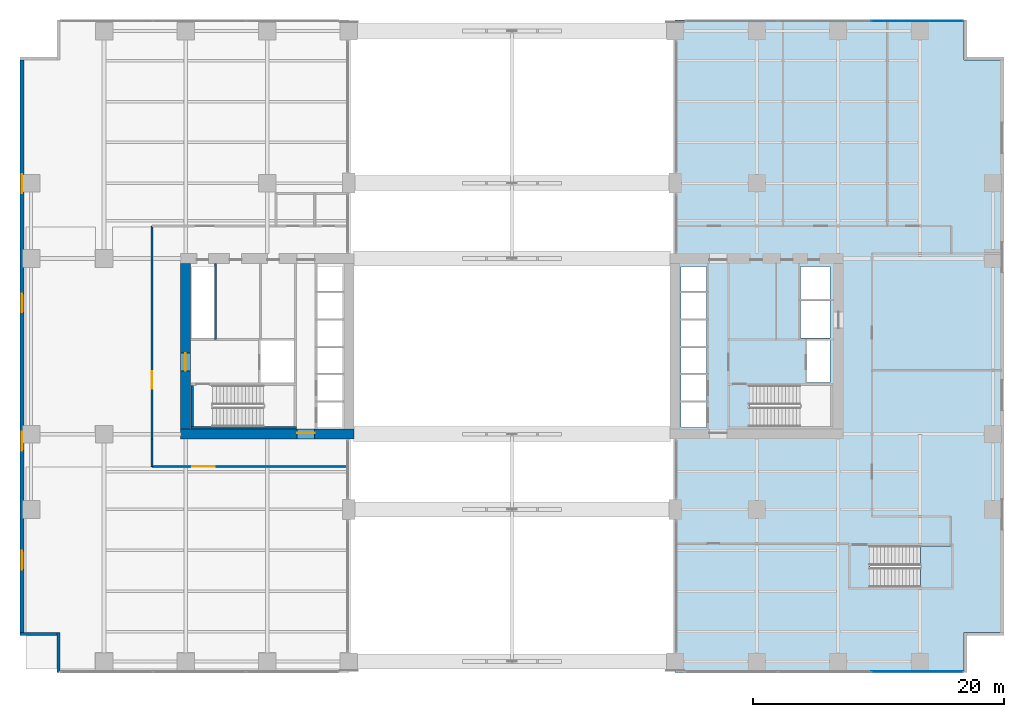
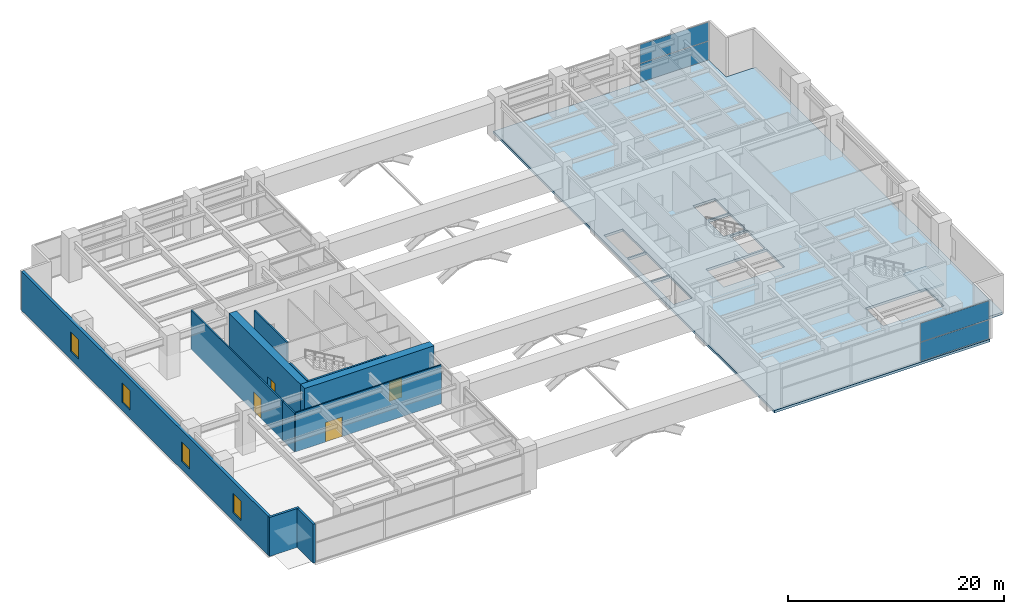
# One storey, part 15 of 23: 11 walls, 4 doors, 4 plates, 4 windows, 2 slabs, 8 openings, 3 elements without a shape of their own.
"""IFC4 building model written with IfcOpenShell, lengths in metres."""

from ifc_helpers import new_model, si_unit, direction, frame, frame_2d, origin, origin_2d, place, context, subcontext, project, spatial, polyline, rectangle, outline, extrude, material, layer, layer_set, type_object, element, fill, aggregate, save


model = new_model("IFC4")

# Units and contexts
model_context = context("Model", 3, precision=1e-05, world=origin(), true_north=direction((0.0, 1.0)))
body_context = subcontext(model_context, "Body", "Model", "MODEL_VIEW")
ifc_project = project(units=[si_unit("LENGTHUNIT", "METRE"), si_unit("AREAUNIT", "SQUARE_METRE"), si_unit("VOLUMEUNIT", "CUBIC_METRE"), si_unit("PLANEANGLEUNIT", "RADIAN"), si_unit("MASSUNIT", "GRAM", prefix="KILO")], contexts=[model_context])

# Site, building, storey
site_placement = place(None, origin())
site = spatial("IfcSite", under=ifc_project, at=site_placement, CompositionType="ELEMENT")
building_placement = place(site_placement, origin())
building = spatial("IfcBuilding", under=site, at=building_placement, Name="Putna Gate Headquarters", CompositionType="ELEMENT")
storey_placement = place(building_placement, frame((0.0, 0.0, 17.0)))
storey = spatial("IfcBuildingStorey", under=building, at=storey_placement, Name="L03", CompositionType="ELEMENT", Elevation=17.0)

# Stair, slab
ifc_material_1 = material(Name="Concrete C40/50", Category="concrete")
stair_type = type_object("IfcStairType", Name="STAIR-ST3", PredefinedType="HALF_TURN_STAIR", material=ifc_material_1)
stair_placement = place(storey_placement, origin())
stair = element("IfcStair", 1, at=stair_placement, inside=storey, type_object=stair_type, Name="L03 Podium Escape Stair ST3", PredefinedType="HALF_TURN_STAIR")
ifc_layer_1 = layer(ifc_material_1, 0.199951171875)
ifc_layer_set_1 = layer_set([ifc_layer_1], Name="Concrete C40/50")
slab_type_1 = type_object("IfcSlabType", Name="LANDING-ST3", PredefinedType="LANDING", material=ifc_layer_set_1)
slab_1_placement = place(storey_placement, frame((0.0, 0.0, 2.300048828125)))
slab_1 = element("IfcSlab", 2, at=slab_1_placement, type_object=slab_type_1, Name="ST3 landing 1", PredefinedType="LANDING", context=body_context, shape_type="SweptSolid", body=[
    extrude(outline(polyline([(71.56005859375, 6.800048828125), (74.0, 6.800048828125), (74.0, 10.10009765625), (71.56005859375, 10.10009765625), (71.56005859375, 6.800048828125)])), origin(), (0.0, 0.0, 1.0), 0.199951171875),
])
aggregate(stair, [slab_1])

# Curtain wall, plates
ifc_material_2 = material(Name="Anodised bronze aluminium curtain wall", Category="aluminium")
ifc_layer_2 = layer(ifc_material_2, 0.179931640625)
ifc_layer_set_2 = layer_set([ifc_layer_2], Name="Anodised bronze aluminium curtain wall")
curtain_wall_type = type_object("IfcCurtainWallType", Name="CW-SYS-POD", PredefinedType="USERDEFINED", material=ifc_layer_set_2)
curtain_wall_1_placement = place(storey_placement, origin())
curtain_wall_1 = element("IfcCurtainWall", 3, at=curtain_wall_1_placement, inside=storey, type_object=curtain_wall_type, Name="L03 South East Curtain Wall", ObjectType="STICK CURTAIN WALL", PredefinedType="USERDEFINED")
ifc_material_3 = material(Name="Solar-control triple low-E glass", Category="glass")
ifc_layer_3 = layer(ifc_material_3, 0.035888671875)
ifc_layer_set_3 = layer_set([ifc_layer_3], Name="Solar-control triple low-E glass")
plate_type = type_object("IfcPlateType", Name="PAN-CWP-P", PredefinedType="CURTAIN_PANEL", material=ifc_layer_set_3)
plate_1_placement = place(storey_placement, frame((71.279052734375, 0.080078125, 0.06982421875), z_axis=(0.0, 0.0, 1.0), x_axis=(1.0, 0.0, 0.0)))
plate_1 = element("IfcPlate", 4, at=plate_1_placement, type_object=plate_type, Name="CWS-P panel 3.1", PredefinedType="CURTAIN_PANEL", context=body_context, shape_type="SweptSolid", body=[
    extrude(rectangle(XDim=7.3017578125, YDim=0.035888671875, at=origin_2d()), origin(), (0.0, 0.0, 1.0), 2.094970703125),
])
plate_2_placement = place(storey_placement, frame((71.279052734375, 0.080078125, 2.23486328125), z_axis=(0.0, 0.0, 1.0), x_axis=(1.0, 0.0, 0.0)))
plate_2 = element("IfcPlate", 5, at=plate_2_placement, type_object=plate_type, Name="CWS-P panel 3.2", PredefinedType="CURTAIN_PANEL", context=body_context, shape_type="SweptSolid", body=[
    extrude(rectangle(XDim=7.3017578125, YDim=0.035888671875, at=origin_2d()), origin(), (0.0, 0.0, 1.0), 2.094970703125),
])
aggregate(curtain_wall_1, [plate_1, plate_2])

curtain_wall_2_placement = place(storey_placement, origin())
curtain_wall_2 = element("IfcCurtainWall", 6, at=curtain_wall_2_placement, inside=storey, type_object=curtain_wall_type, Name="L03 North East Curtain Wall", ObjectType="STICK CURTAIN WALL", PredefinedType="USERDEFINED")
plate_3_placement = place(storey_placement, frame((71.279052734375, 51.919921875, 0.06982421875), z_axis=(0.0, 0.0, 1.0), x_axis=(1.0, 0.0, 0.0)))
plate_3 = element("IfcPlate", 7, at=plate_3_placement, type_object=plate_type, Name="CWS-P panel 3.1", PredefinedType="CURTAIN_PANEL", context=body_context, shape_type="SweptSolid", body=[
    extrude(rectangle(XDim=7.3017578125, YDim=0.035888671875, at=origin_2d()), origin(), (0.0, 0.0, 1.0), 2.094970703125),
])
plate_4_placement = place(storey_placement, frame((71.279052734375, 51.919921875, 2.23486328125), z_axis=(0.0, 0.0, 1.0), x_axis=(1.0, 0.0, 0.0)))
plate_4 = element("IfcPlate", 8, at=plate_4_placement, type_object=plate_type, Name="CWS-P panel 3.2", PredefinedType="CURTAIN_PANEL", context=body_context, shape_type="SweptSolid", body=[
    extrude(rectangle(XDim=7.3017578125, YDim=0.035888671875, at=origin_2d()), origin(), (0.0, 0.0, 1.0), 2.094970703125),
])
aggregate(curtain_wall_2, [plate_3, plate_4])

# Slab
ifc_layer_4 = layer(ifc_material_1, 0.280029296875)
ifc_layer_set_4 = layer_set([ifc_layer_4], Name="Concrete C40/50")
slab_type_2 = type_object("IfcSlabType", Name="SLAB-POD-280", PredefinedType="FLOOR", material=ifc_layer_set_4)
slab_2_placement = place(storey_placement, frame((0.0, 0.0, -0.280029296875)))
element("IfcSlab", 9, at=slab_2_placement, inside=storey, type_object=slab_type_2, Name="L03 East Podium Wing Floor Slab", PredefinedType="FLOOR", context=body_context, shape_type="SweptSolid", body=[
    extrude(outline(polyline([(52.0, 0.0), (75.0, 0.0), (75.0, 3.199951171875), (78.199951171875, 3.199951171875), (78.199951171875, 48.800048828125), (75.0, 48.800048828125), (75.0, 52.0), (52.0, 52.0), (52.0, 0.0)]), holes=[polyline([(57.9150390625, 19.60009765625), (64.39990234375, 19.60009765625), (64.39990234375, 22.89990234375), (57.9150390625, 22.89990234375), (57.9150390625, 19.60009765625)]), polyline([(67.514892578125, 6.800048828125), (74.0, 6.800048828125), (74.0, 10.10009765625), (67.514892578125, 10.10009765625), (67.514892578125, 6.800048828125)]), polyline([(61.969970703125, 29.780029296875), (64.35009765625, 29.780029296875), (64.35009765625, 32.35009765625), (61.969970703125, 32.35009765625), (61.969970703125, 29.780029296875)]), polyline([(62.52001953125, 23.1201171875), (64.35009765625, 23.1201171875), (64.35009765625, 26.4599609375), (62.52001953125, 26.4599609375), (62.52001953125, 23.1201171875)]), polyline([(61.969970703125, 26.659912109375), (64.35009765625, 26.659912109375), (64.35009765625, 29.6201171875), (61.969970703125, 29.6201171875), (61.969970703125, 26.659912109375)]), polyline([(52.47998046875, 19.52001953125), (54.5, 19.52001953125), (54.5, 23.699951171875), (52.47998046875, 23.699951171875), (52.47998046875, 19.52001953125)]), polyline([(52.47998046875, 23.860107421875), (54.5, 23.860107421875), (54.5, 28.0400390625), (52.47998046875, 28.0400390625), (52.47998046875, 23.860107421875)]), polyline([(52.47998046875, 28.199951171875), (54.5, 28.199951171875), (54.5, 32.35009765625), (52.47998046875, 32.35009765625), (52.47998046875, 28.199951171875)])]), origin(), (0.0, 0.0, 1.0), 0.280029296875),
])

# Wall, opening, door
ifc_material_4 = material(Name="Concrete C60/75", Category="concrete")
ifc_layer_5 = layer(ifc_material_4, 0.800048828125)
ifc_layer_set_5 = layer_set([ifc_layer_5], Name="Concrete C60/75")
wall_type_1 = type_object("IfcWallType", Name="WALL-CORE-800", PredefinedType="SHEAR", material=ifc_layer_set_5)
wall_1_placement = place(storey_placement, frame((12.60009765625, 19.0, 0.0), z_axis=(0.0, 0.0, 1.0), x_axis=(1.0, 0.0, 0.0)))
wall_1 = element("IfcWall", 10, at=wall_1_placement, inside=storey, type_object=wall_type_1, Name="L03 WC Split Core Shear Wall S", PredefinedType="SHEAR", context=body_context, shape_type="SweptSolid", body=[
    extrude(rectangle(XDim=13.7998046875, YDim=0.800048828125, at=frame_2d((6.89990234375, 0.0))), origin(), (0.0, 0.0, 1.0), 5.0),
])
opening_1_placement = place(wall_1_placement, frame((9.280029296875, 0.0, 0.0)))
opening_1 = element("IfcOpeningElement", 11, at=opening_1_placement, cuts=wall_1, Name="Opening FDD-140", PredefinedType="OPENING", context=body_context, shape_type="SweptSolid", body=[
    extrude(rectangle(XDim=1.39990234375, YDim=2.199951171875, at=frame_2d((0.699951171875, 1.10009765625))), frame((0.0, 0.409912109375, 0.0), z_axis=(0.0, -1.0, 0.0), x_axis=(1.0, 0.0, 0.0)), (0.0, 0.0, 1.0), 0.820068359375),
])
ifc_material_5 = material(Name="Double steel fire door", Category="steel")
door_type_1 = type_object("IfcDoorType", Name="DOOR-FIRE-DBL-1400", OperationType="DOUBLE_DOOR_SINGLE_SWING", PredefinedType="DOOR", material=ifc_material_5)
door_1_placement = place(opening_1_placement, origin())
door_1 = element("IfcDoor", 12, at=door_1_placement, inside=storey, type_object=door_type_1, Name="L03 West Lift Lobby South Door", OperationType="DOUBLE_DOOR_SINGLE_SWING", OverallHeight=2.199951171875, OverallWidth=1.39990234375, PredefinedType="DOOR", context=body_context, shape_type="SweptSolid", body=[
    extrude(rectangle(XDim=1.39990234375, YDim=2.199951171875, at=frame_2d((0.699951171875, 1.10009765625))), frame((0.0, 0.125, 0.0), z_axis=(0.0, -1.0, 0.0), x_axis=(1.0, 0.0, 0.0)), (0.0, 0.0, 1.0), 0.050048828125),
])
fill(opening_1, door_1)

wall_2_placement = place(storey_placement, frame((13.0, 19.39990234375, 0.0), z_axis=(0.0, 0.0, 1.0), x_axis=(0.0, 1.0, 0.0)))
wall_2 = element("IfcWall", 13, at=wall_2_placement, inside=storey, type_object=wall_type_1, Name="L03 WC Split Core Shear Wall W", PredefinedType="SHEAR", context=body_context, shape_type="SweptSolid", body=[
    extrude(rectangle(XDim=13.2001953125, YDim=0.800048828125, at=frame_2d((6.60009765625, 0.0))), origin(), (0.0, 0.0, 1.0), 5.0),
])
opening_2_placement = place(wall_2_placement, frame((4.64990234375, 0.0, 0.0)))
opening_2 = element("IfcOpeningElement", 14, at=opening_2_placement, cuts=wall_2, Name="Opening FDD-140", PredefinedType="OPENING", context=body_context, shape_type="SweptSolid", body=[
    extrude(rectangle(XDim=1.39990234375, YDim=2.199951171875, at=frame_2d((0.699951171875, 1.10009765625))), frame((0.0, 0.409912109375, 0.0), z_axis=(0.0, -1.0, 0.0), x_axis=(1.0, 0.0, 0.0)), (0.0, 0.0, 1.0), 0.820068359375),
])
door_2_placement = place(opening_2_placement, origin())
door_2 = element("IfcDoor", 15, at=door_2_placement, inside=storey, type_object=door_type_1, Name="L03 West Firefighting Lobby Door", OperationType="DOUBLE_DOOR_SINGLE_SWING", OverallHeight=2.199951171875, OverallWidth=1.39990234375, PredefinedType="DOOR", context=body_context, shape_type="SweptSolid", body=[
    extrude(rectangle(XDim=1.39990234375, YDim=2.199951171875, at=frame_2d((0.699951171875, 1.10009765625))), frame((0.0, 0.02490234375, 0.0), z_axis=(0.0, -1.0, 0.0), x_axis=(1.0, 0.0, 0.0)), (0.0, 0.0, 1.0), 0.050048828125),
])
fill(opening_2, door_2)

# Wall, openings, windows
ifc_material_6 = material(Name="Precast concrete C40/50", Category="concrete")
ifc_layer_6 = layer(ifc_material_6, 0.300048828125)
ifc_layer_set_6 = layer_set([ifc_layer_6], Name="Precast concrete C40/50")
wall_type_2 = type_object("IfcWallType", Name="WALL-EXT-POD-300", PredefinedType="STANDARD", material=ifc_layer_set_6)
wall_3_placement = place(storey_placement, frame((-0.050048828125, 3.199951171875, 0.0), z_axis=(0.0, 0.0, 1.0), x_axis=(0.0, 1.0, 0.0)))
wall_3 = element("IfcWall", 16, at=wall_3_placement, inside=storey, type_object=wall_type_2, Name="L03 W Podium Precast Facade Wall", PredefinedType="STANDARD", context=body_context, shape_type="SweptSolid", body=[
    extrude(rectangle(XDim=45.60009765625, YDim=0.300048828125, at=frame_2d((22.800048828125, 0.0))), origin(), (0.0, 0.0, 1.0), 4.39990234375),
])
opening_3_placement = place(wall_3_placement, frame((5.0, 0.0, 0.89990234375)))
opening_3 = element("IfcOpeningElement", 17, at=opening_3_placement, cuts=wall_3, Name="Opening WN-2", PredefinedType="OPENING", context=body_context, shape_type="SweptSolid", body=[
    extrude(rectangle(XDim=1.5, YDim=2.199951171875, at=frame_2d((0.75, 1.10009765625))), frame((0.0, 0.159912109375, 0.0), z_axis=(0.0, -1.0, 0.0), x_axis=(1.0, 0.0, 0.0)), (0.0, 0.0, 1.0), 0.320068359375),
])
opening_4_placement = place(wall_3_placement, frame((14.5, 0.0, 0.89990234375)))
opening_4 = element("IfcOpeningElement", 18, at=opening_4_placement, cuts=wall_3, Name="Opening WN-2", PredefinedType="OPENING", context=body_context, shape_type="SweptSolid", body=[
    extrude(rectangle(XDim=1.5, YDim=2.199951171875, at=frame_2d((0.75, 1.10009765625))), frame((0.0, 0.159912109375, 0.0), z_axis=(0.0, -1.0, 0.0), x_axis=(1.0, 0.0, 0.0)), (0.0, 0.0, 1.0), 0.320068359375),
])
opening_5_placement = place(wall_3_placement, frame((25.5, 0.0, 0.89990234375)))
opening_5 = element("IfcOpeningElement", 19, at=opening_5_placement, cuts=wall_3, Name="Opening WN-2", PredefinedType="OPENING", context=body_context, shape_type="SweptSolid", body=[
    extrude(rectangle(XDim=1.5, YDim=2.199951171875, at=frame_2d((0.75, 1.10009765625))), frame((0.0, 0.159912109375, 0.0), z_axis=(0.0, -1.0, 0.0), x_axis=(1.0, 0.0, 0.0)), (0.0, 0.0, 1.0), 0.320068359375),
])
opening_6_placement = place(wall_3_placement, frame((35.0, 0.0, 0.89990234375)))
opening_6 = element("IfcOpeningElement", 20, at=opening_6_placement, cuts=wall_3, Name="Opening WN-2", PredefinedType="OPENING", context=body_context, shape_type="SweptSolid", body=[
    extrude(rectangle(XDim=1.5, YDim=2.199951171875, at=frame_2d((0.75, 1.10009765625))), frame((0.0, 0.159912109375, 0.0), z_axis=(0.0, -1.0, 0.0), x_axis=(1.0, 0.0, 0.0)), (0.0, 0.0, 1.0), 0.320068359375),
])
ifc_material_7 = material(Name="Triple low-E insulated glazing in bronze aluminium frame", Category="aluminium")
window_type = type_object("IfcWindowType", Name="WIN-EXT-1500x2200", PartitioningType="SINGLE_PANEL", PredefinedType="WINDOW", material=ifc_material_7)
window_1_placement = place(opening_3_placement, origin())
window_1 = element("IfcWindow", 21, at=window_1_placement, inside=storey, type_object=window_type, Name="L03 W Vision Window 1", OverallHeight=2.199951171875, OverallWidth=1.5, PartitioningType="SINGLE_PANEL", PredefinedType="WINDOW", context=body_context, shape_type="SweptSolid", body=[
    extrude(rectangle(XDim=1.5, YDim=2.199951171875, at=frame_2d((0.75, 1.10009765625))), frame((0.0, 0.030029296875, 0.0), z_axis=(0.0, -1.0, 0.0), x_axis=(1.0, 0.0, 0.0)), (0.0, 0.0, 1.0), 0.06005859375),
])
fill(opening_3, window_1)
window_2_placement = place(opening_4_placement, origin())
window_2 = element("IfcWindow", 22, at=window_2_placement, inside=storey, type_object=window_type, Name="L03 W Vision Window 2", OverallHeight=2.199951171875, OverallWidth=1.5, PartitioningType="SINGLE_PANEL", PredefinedType="WINDOW", context=body_context, shape_type="SweptSolid", body=[
    extrude(rectangle(XDim=1.5, YDim=2.199951171875, at=frame_2d((0.75, 1.10009765625))), frame((0.0, 0.030029296875, 0.0), z_axis=(0.0, -1.0, 0.0), x_axis=(1.0, 0.0, 0.0)), (0.0, 0.0, 1.0), 0.06005859375),
])
fill(opening_4, window_2)
window_3_placement = place(opening_5_placement, origin())
window_3 = element("IfcWindow", 23, at=window_3_placement, inside=storey, type_object=window_type, Name="L03 W Vision Window 3", OverallHeight=2.199951171875, OverallWidth=1.5, PartitioningType="SINGLE_PANEL", PredefinedType="WINDOW", context=body_context, shape_type="SweptSolid", body=[
    extrude(rectangle(XDim=1.5, YDim=2.199951171875, at=frame_2d((0.75, 1.10009765625))), frame((0.0, 0.030029296875, 0.0), z_axis=(0.0, -1.0, 0.0), x_axis=(1.0, 0.0, 0.0)), (0.0, 0.0, 1.0), 0.06005859375),
])
fill(opening_5, window_3)
window_4_placement = place(opening_6_placement, origin())
window_4 = element("IfcWindow", 24, at=window_4_placement, inside=storey, type_object=window_type, Name="L03 W Vision Window 4", OverallHeight=2.199951171875, OverallWidth=1.5, PartitioningType="SINGLE_PANEL", PredefinedType="WINDOW", context=body_context, shape_type="SweptSolid", body=[
    extrude(rectangle(XDim=1.5, YDim=2.199951171875, at=frame_2d((0.75, 1.10009765625))), frame((0.0, 0.030029296875, 0.0), z_axis=(0.0, -1.0, 0.0), x_axis=(1.0, 0.0, 0.0)), (0.0, 0.0, 1.0), 0.06005859375),
])
fill(opening_6, window_4)

# Walls
ifc_layer_7 = layer(ifc_material_6, 0.239990234375)
ifc_layer_set_7 = layer_set([ifc_layer_7], Name="Precast concrete C40/50")
wall_type_3 = type_object("IfcWallType", Name="WALL-EXT-TERR-240", PredefinedType="STANDARD", material=ifc_layer_set_7)
for number, where, z_axis, x_axis, name in (
    (25, (2.8798828125, 0.0, 0.0), (0.0, 0.0, 1.0), (0.0, 1.0, 0.0), "L03 Corner Notch Return Wall SW-V"),
    (26, (3.0, 3.080078125, 0.0), (0.0, 0.0, 1.0), (-1.0, 0.0, 0.0), "L03 Corner Notch Return Wall SW-H"),
):
    element("IfcWall", number, at=place(storey_placement, frame(where, z_axis=z_axis, x_axis=x_axis)), inside=storey, type_object=wall_type_3, Name=name, PredefinedType="STANDARD", context=body_context, shape_type="SweptSolid", body=[
        extrude(rectangle(XDim=3.199951171875, YDim=0.239990234375, at=frame_2d((1.60009765625, 0.0))), origin(), (0.0, 0.0, 1.0), 4.39990234375),
    ])
ifc_material_8 = material(Name="Fire-rated gypsum board on metal stud")
ifc_layer_8 = layer(ifc_material_8, 0.139892578125)
ifc_layer_set_8 = layer_set([ifc_layer_8], Name="Fire-rated gypsum board on metal stud")
wall_type_4 = type_object("IfcWallType", Name="WALL-PART-140", PredefinedType="PARTITIONING", material=ifc_layer_set_8)
wall_4_placement = place(storey_placement, frame((10.320068359375, 16.419921875, 0.0), z_axis=(0.0, 0.0, 1.0), x_axis=(0.0, 1.0, 0.0)))
element("IfcWall", 27, at=wall_4_placement, inside=storey, type_object=wall_type_4, Name="L03 Interior Wall PART-L03-WS-CAP", PredefinedType="PARTITIONING", context=body_context, shape_type="SweptSolid", body=[
    extrude(rectangle(XDim=2.18017578125, YDim=0.139892578125, at=frame_2d((1.090087890625, 0.0))), origin(), (0.0, 0.0, 1.0), 4.39990234375),
])

# Wall, opening, door
wall_5_placement = place(storey_placement, frame((10.320068359375, 16.419921875, 0.0), z_axis=(0.0, 0.0, 1.0), x_axis=(1.0, 0.0, 0.0)))
wall_5 = element("IfcWall", 28, at=wall_5_placement, inside=storey, type_object=wall_type_4, Name="L03 Interior Wall PART-L03-RST", PredefinedType="PARTITIONING", context=body_context, shape_type="SweptSolid", body=[
    extrude(rectangle(XDim=15.599853515625, YDim=0.139892578125, at=frame_2d((7.7998046875, 0.0))), origin(), (0.0, 0.0, 1.0), 4.39990234375),
])
opening_7_placement = place(wall_5_placement, frame((3.199951171875, 0.0, 0.0)))
opening_7 = element("IfcOpeningElement", 29, at=opening_7_placement, cuts=wall_5, Name="Opening FDD-180", PredefinedType="OPENING", context=body_context, shape_type="SweptSolid", body=[
    extrude(rectangle(XDim=1.800048828125, YDim=2.199951171875, at=frame_2d((0.89990234375, 1.10009765625))), frame((0.0, 0.079833984375, 0.0), z_axis=(0.0, -1.0, 0.0), x_axis=(1.0, 0.0, 0.0)), (0.0, 0.0, 1.0), 0.159912109375),
])
ifc_material_9 = material(Name="Double assembly fire door")
door_type_2 = type_object("IfcDoorType", Name="DOOR-FIRE-DBL-1800", OperationType="DOUBLE_DOOR_SINGLE_SWING", PredefinedType="DOOR", material=ifc_material_9)
door_3_placement = place(opening_7_placement, origin())
door_3 = element("IfcDoor", 30, at=door_3_placement, inside=storey, type_object=door_type_2, Name="L03 Staff Restaurant Door", OperationType="DOUBLE_DOOR_SINGLE_SWING", OverallHeight=2.199951171875, OverallWidth=1.800048828125, PredefinedType="DOOR", context=body_context, shape_type="SweptSolid", body=[
    extrude(rectangle(XDim=1.800048828125, YDim=2.199951171875, at=frame_2d((0.89990234375, 1.10009765625))), frame((0.0, 0.02490234375, 0.0), z_axis=(0.0, -1.0, 0.0), x_axis=(1.0, 0.0, 0.0)), (0.0, 0.0, 1.0), 0.050048828125),
])
fill(opening_7, door_3)

wall_6_placement = place(storey_placement, frame((10.320068359375, 18.60009765625, 0.0), z_axis=(0.0, 0.0, 1.0), x_axis=(0.0, 1.0, 0.0)))
wall_6 = element("IfcWall", 31, at=wall_6_placement, inside=storey, type_object=wall_type_4, Name="L03 Interior Wall PART-L03-SRV", PredefinedType="PARTITIONING", context=body_context, shape_type="SweptSolid", body=[
    extrude(rectangle(XDim=16.97998046875, YDim=0.139892578125, at=frame_2d((8.489990234375, 0.0))), origin(), (0.0, 0.0, 1.0), 4.39990234375),
])
opening_8_placement = place(wall_6_placement, frame((4.0, 0.0, 0.0)))
opening_8 = element("IfcOpeningElement", 32, at=opening_8_placement, cuts=wall_6, Name="Opening FDD-140", PredefinedType="OPENING", context=body_context, shape_type="SweptSolid", body=[
    extrude(rectangle(XDim=1.39990234375, YDim=2.199951171875, at=frame_2d((0.699951171875, 1.10009765625))), frame((0.0, 0.079833984375, 0.0), z_axis=(0.0, -1.0, 0.0), x_axis=(1.0, 0.0, 0.0)), (0.0, 0.0, 1.0), 0.159912109375),
])
door_4_placement = place(opening_8_placement, origin())
door_4 = element("IfcDoor", 33, at=door_4_placement, inside=storey, type_object=door_type_1, Name="L03 Bistro Servery Door", OperationType="DOUBLE_DOOR_SINGLE_SWING", OverallHeight=2.199951171875, OverallWidth=1.39990234375, PredefinedType="DOOR", context=body_context, shape_type="SweptSolid", body=[
    extrude(rectangle(XDim=1.39990234375, YDim=2.199951171875, at=frame_2d((0.699951171875, 1.10009765625))), frame((0.0, 0.02490234375, 0.0), z_axis=(0.0, -1.0, 0.0), x_axis=(1.0, 0.0, 0.0)), (0.0, 0.0, 1.0), 0.050048828125),
])
fill(opening_8, door_4)

# Walls
ifc_layer_9 = layer(ifc_material_1, 0.159912109375)
ifc_layer_set_9 = layer_set([ifc_layer_9], Name="Concrete C40/50")
wall_type_5 = type_object("IfcWallType", Name="WALL-SHAFT-160", PredefinedType="STANDARD", material=ifc_layer_set_9)
wall_7_placement = place(storey_placement, frame((15.3798828125, 26.56005859375, 0.0), z_axis=(0.0, 0.0, 1.0), x_axis=(0.0, 1.0, 0.0)))
element("IfcWall", 34, at=wall_7_placement, inside=storey, type_object=wall_type_5, Name="L03 Interior Wall CWINT-L03-WC-RISER-E", PredefinedType="STANDARD", context=body_context, shape_type="SweptSolid", body=[
    extrude(rectangle(XDim=6.0400390625, YDim=0.159912109375, at=frame_2d((3.02001953125, 0.0))), origin(), (0.0, 0.0, 1.0), 4.39990234375),
])
ifc_layer_10 = layer(ifc_material_1, 0.199951171875)
ifc_layer_set_10 = layer_set([ifc_layer_10], Name="Concrete C40/50")
wall_type_6 = type_object("IfcWallType", Name="WALL-SHAFT-RC200", PredefinedType="SHEAR", material=ifc_layer_set_10)
wall_8_placement = place(storey_placement, frame((13.409912109375, 19.510009765625, 0.0), z_axis=(0.0, 0.0, 1.0), x_axis=(1.0, 0.0, 0.0)))
element("IfcWall", 35, at=wall_8_placement, inside=storey, type_object=wall_type_6, Name="L03 Stair ST1 Structural Shaft Wall S", PredefinedType="SHEAR", context=body_context, shape_type="SweptSolid", body=[
    extrude(rectangle(XDim=8.43017578125, YDim=0.199951171875, at=frame_2d((4.215087890625, 0.0))), origin(), (0.0, 0.0, 1.0), 5.0),
])
wall_9_placement = place(storey_placement, frame((13.510009765625, 19.610107421875, 0.0), z_axis=(0.0, 0.0, 1.0), x_axis=(0.0, 1.0, 0.0)))
element("IfcWall", 36, at=wall_9_placement, inside=storey, type_object=wall_type_6, Name="L03 Stair ST1 Structural Shaft Wall W", PredefinedType="SHEAR", context=body_context, shape_type="SweptSolid", body=[
    extrude(rectangle(XDim=3.27978515625, YDim=0.199951171875, at=frame_2d((1.639892578125, 0.0))), origin(), (0.0, 0.0, 1.0), 5.0),
])

save(model, "model.ifc")
